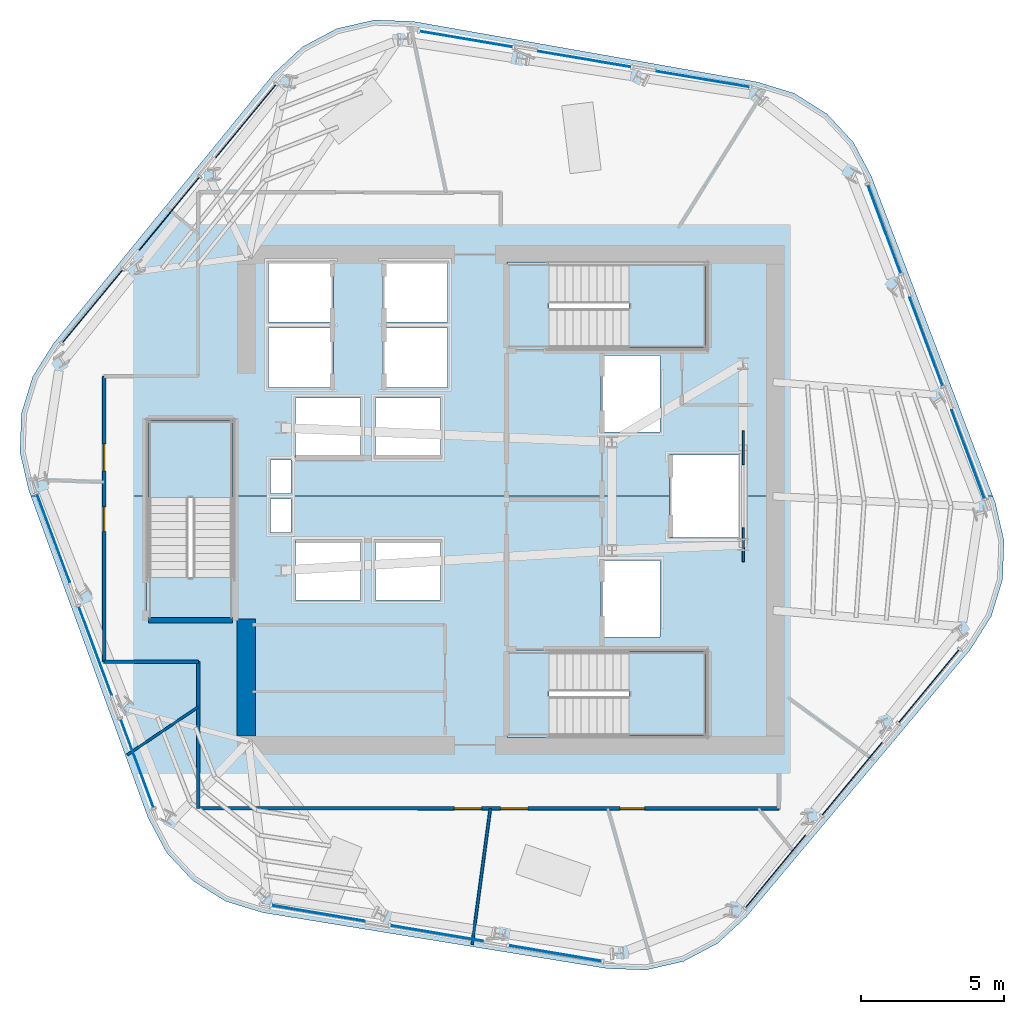
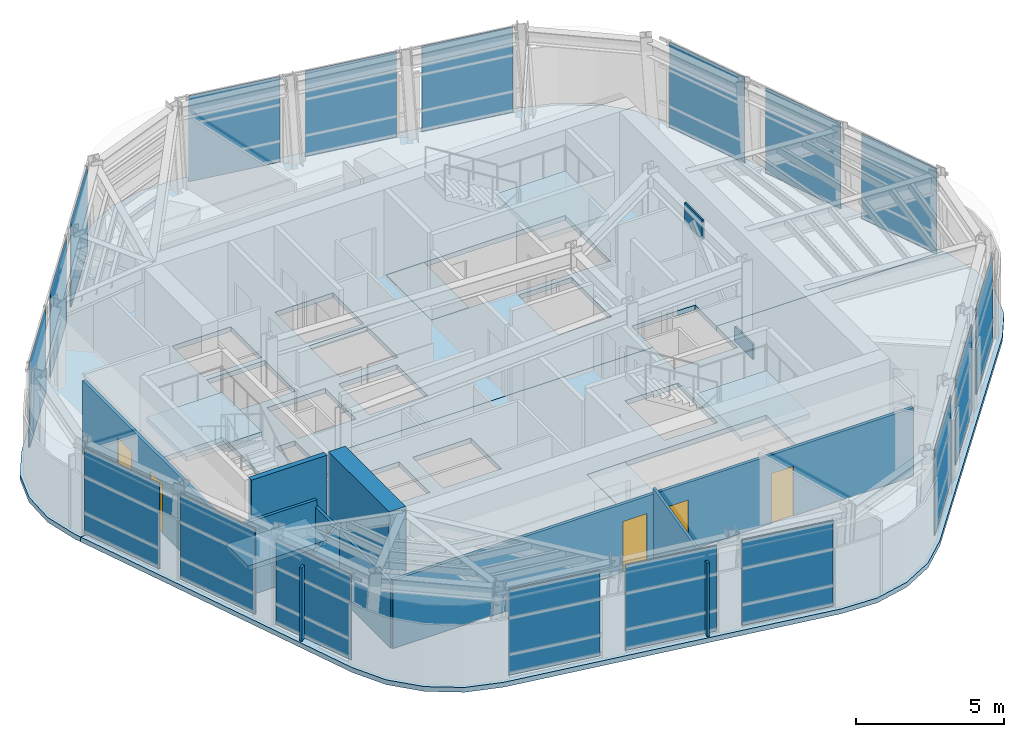
# One storey, part 5 of 12: 20 plates, 8 slabs, 8 walls, 5 doors, 5 openings, 9 elements without a shape of their own.
"""IFC4 building model written with IfcOpenShell, lengths in metres."""

import ifcopenshell
import ifcopenshell.guid

model = None  # the IFC model being written
_history = None  # IfcOwnerHistory: only IFC2X3 demands one
_inside = {}  # id of a spatial element -> (the spatial element, [elements in it])
_under = {}  # id of a project, library or spatial element -> (it, [spatial elements below it])
_declared = {}  # id of a project -> (the project, [libraries it declares])
_typed = {}  # id of a type object -> (the type object, [elements of that type])
_made_of = {}  # id of a material, layer set ... -> (it, [elements and type objects made of it])


def new_model(schema):
    """Start an empty IFC model of exactly this schema.

    Asked for "IFC4X3", IfcOpenShell would pick the latest addendum, in which some entities
    have other attributes; the version numbers below select the first issue.
    IFC2X3 requires an IfcOwnerHistory on every rooted entity: one is made here for all.
    """
    global model, _history
    if schema == "IFC4X3":
        model = ifcopenshell.file(schema_version=(4, 3, 0, 0))
    else:
        model = ifcopenshell.file(schema=schema)
    _inside.clear()
    _under.clear()
    _declared.clear()
    _typed.clear()
    _made_of.clear()
    _history = None
    if model.schema == "IFC2X3":
        org = make("IfcOrganization", Name="unknown")
        user = make(
            "IfcPersonAndOrganization",
            ThePerson=make("IfcPerson", FamilyName="unknown"),
            TheOrganization=org,
        )
        app = make(
            "IfcApplication",
            ApplicationDeveloper=org,
            Version="unknown",
            ApplicationFullName="unknown",
            ApplicationIdentifier="unknown",
        )
        _history = make(
            "IfcOwnerHistory",
            OwningUser=user,
            OwningApplication=app,
            ChangeAction="ADDED",
            CreationDate=0,
        )
    return model


def make(cls, **values):
    """One entity of the class cls with the attributes given. An attribute that is None is left unset."""
    return model.create_entity(
        cls, **{name: value for name, value in values.items() if value is not None}
    )


def rooted(cls, **values):
    """An entity with a GlobalId (a new one), such as an element, a storey or a relation."""
    return make(cls, GlobalId=ifcopenshell.guid.new(), OwnerHistory=_history, **values)


def si_unit(unit_type, name, prefix=None):
    """IfcSIUnit, for example si_unit("LENGTHUNIT", "METRE", prefix="MILLI")."""
    return make("IfcSIUnit", UnitType=unit_type, Prefix=prefix, Name=name)


def assignment(units):
    """IfcUnitAssignment: the units of a project."""
    return None if units is None else make("IfcUnitAssignment", Units=units)


def point(xyz):
    """IfcCartesianPoint."""
    return None if xyz is None else make("IfcCartesianPoint", Coordinates=xyz)


def direction(xyz):
    """IfcDirection."""
    return None if xyz is None else make("IfcDirection", DirectionRatios=xyz)


def frame(location, z_axis=None, x_axis=None):
    """IfcAxis2Placement3D, a coordinate frame: its origin and axes. An axis left out is left unset."""
    return make(
        "IfcAxis2Placement3D",
        Location=point(location),
        Axis=direction(z_axis),
        RefDirection=direction(x_axis),
    )


def frame_2d(location, x_axis=None):
    """IfcAxis2Placement2D, a coordinate frame in the plane: its origin and x axis."""
    return make(
        "IfcAxis2Placement2D", Location=point(location), RefDirection=direction(x_axis)
    )


def origin():
    """The frame at (0, 0, 0) with its axes left unset."""
    return frame((0.0, 0.0, 0.0))


def origin_2d():
    """The frame at (0, 0) in the plane with its x axis left unset."""
    return frame_2d((0.0, 0.0))


def place(relative_to, where):
    """IfcLocalPlacement: puts the frame where relative to a parent placement (None: the world)."""
    return make(
        "IfcLocalPlacement", PlacementRelTo=relative_to, RelativePlacement=where
    )


def context(
    kind, dimensions, precision=None, world=None, true_north=None, identifier=None
):
    """IfcGeometricRepresentationContext, for example the 3D "Model" context."""
    return make(
        "IfcGeometricRepresentationContext",
        ContextIdentifier=identifier,
        ContextType=kind,
        CoordinateSpaceDimension=dimensions,
        Precision=precision,
        WorldCoordinateSystem=world,
        TrueNorth=true_north,
    )


def subcontext(parent, identifier, kind, view, scale=None):
    """IfcGeometricRepresentationSubContext, for example "Body" below "Model"."""
    return make(
        "IfcGeometricRepresentationSubContext",
        ContextIdentifier=identifier,
        ContextType=kind,
        ParentContext=parent,
        TargetScale=scale,
        TargetView=view,
    )


def project(units=None, contexts=None):
    """IfcProject with its units and contexts."""
    return rooted(
        "IfcProject",
        Name="project",
        RepresentationContexts=contexts,
        UnitsInContext=assignment(units),
    )


def spatial(cls, under=None, at=None, **own):
    """A site, building, storey or space (cls), placed at a placement, below another one or the project."""
    s = rooted(cls, ObjectPlacement=at, **own)
    if under is not None:
        _under.setdefault(under.id(), (under, []))[1].append(s)
    return s


def polyline(points):
    """IfcPolyline through the points."""
    return make("IfcPolyline", Points=[point(p) for p in points])


def profile(cls, at=None, kind="AREA", **sizes):
    """A parametric profile (cls). Its sizes go by their IFC names, for example OverallWidth=200.0."""
    return make(cls, ProfileType=kind, Position=at, **sizes)


def rectangle(**sizes):
    """IfcRectangleProfileDef."""
    return profile("IfcRectangleProfileDef", **sizes)


def outline(outer, holes=None, kind="AREA"):
    """IfcArbitraryClosedProfileDef: a profile drawn as a closed curve; with holes, ...WithVoids."""
    if holes is None:
        return make("IfcArbitraryClosedProfileDef", ProfileType=kind, OuterCurve=outer)
    return make(
        "IfcArbitraryProfileDefWithVoids",
        ProfileType=kind,
        OuterCurve=outer,
        InnerCurves=holes,
    )


def extrude(swept, where, along, depth):
    """IfcExtrudedAreaSolid: the profile swept, set in the frame where, extruded along a direction by depth."""
    return make(
        "IfcExtrudedAreaSolid",
        SweptArea=swept,
        Position=where,
        ExtrudedDirection=direction(along),
        Depth=depth,
    )


def shape(context_of_items, identifier, shape_type, items):
    """IfcShapeRepresentation: the items that make up one representation, for example the "Body"."""
    return make(
        "IfcShapeRepresentation",
        ContextOfItems=context_of_items,
        RepresentationIdentifier=identifier,
        RepresentationType=shape_type,
        Items=items,
    )


def material(Name=None, Category=None):
    """IfcMaterial."""
    return make("IfcMaterial", Name=Name, Category=Category)


def layer(
    of_material, thickness, ventilated=None, Name=None, Category=None, Priority=None
):
    """IfcMaterialLayer: one layer of a wall or slab, of a material (None: an air gap)."""
    return make(
        "IfcMaterialLayer",
        Material=of_material,
        LayerThickness=thickness,
        IsVentilated=ventilated,
        Name=Name,
        Category=Category,
        Priority=Priority,
    )


def layer_set(layers, Name=None):
    """IfcMaterialLayerSet."""
    return make("IfcMaterialLayerSet", MaterialLayers=layers, LayerSetName=Name)


def made_of(thing, what):
    """Note that an element or type object is made of a material, layer set ...; save() writes the relation."""
    if what is not None:
        _made_of.setdefault(what.id(), (what, []))[1].append(thing)
    return thing


def type_object(cls, material=None, **own):
    """A type object (cls), such as IfcWallType, which elements share."""
    return made_of(rooted(cls, **own), material)


def element(
    cls,
    number,
    at=None,
    inside=None,
    cuts=None,
    type_object=None,
    material=None,
    context=None,
    identifier="Body",
    shape_type=None,
    held_by="IfcProductDefinitionShape",
    body=None,
    shapes=None,
    **own,
):
    """One element of the class cls, such as IfcWall. Its Tag is "e" and its number.

    at: its placement. inside: the storey or other place that contains it. cuts: it is an
    opening in that element (IfcRelVoidsElement). A single representation is given by context,
    identifier, shape_type and body (its items); several are given by shapes. held_by: the class
    of the entity that holds the representations. save() writes the other relations.
    """
    e = rooted(cls, Tag="e%d" % number, ObjectPlacement=at, **own)
    if body is not None:
        shapes = [shape(context, identifier, shape_type, body)]
    if shapes is not None:
        e.Representation = make(held_by, Representations=shapes)
    if inside is not None:
        _inside.setdefault(inside.id(), (inside, []))[1].append(e)
    if cuts is not None:
        rooted(
            "IfcRelVoidsElement", RelatingBuildingElement=cuts, RelatedOpeningElement=e
        )
    if type_object is not None:
        _typed.setdefault(type_object.id(), (type_object, []))[1].append(e)
    return made_of(e, material)


def fill(opening, filler):
    """IfcRelFillsElement: the door or window that sits in an opening."""
    return rooted(
        "IfcRelFillsElement",
        RelatingOpeningElement=opening,
        RelatedBuildingElement=filler,
    )


def aggregate(whole, parts):
    """IfcRelAggregates: a whole, such as a stair, and the parts it consists of."""
    return rooted("IfcRelAggregates", RelatingObject=whole, RelatedObjects=parts)


def save(model, path):
    """Write the relations noted so far, then the file.

    IfcRelAggregates (storeys below a building ...), IfcRelContainedInSpatialStructure (elements
    in a storey), IfcRelDefinesByType, IfcRelAssociatesMaterial and IfcRelDeclares: one each for
    every whole, place, type object, material and project.
    """
    for whole, parts in _under.values():
        aggregate(whole, parts)
    for where, things in _inside.values():
        rooted(
            "IfcRelContainedInSpatialStructure",
            RelatedElements=things,
            RelatingStructure=where,
        )
    for kind, things in _typed.values():
        rooted("IfcRelDefinesByType", RelatedObjects=things, RelatingType=kind)
    for what, things in _made_of.values():
        rooted("IfcRelAssociatesMaterial", RelatedObjects=things, RelatingMaterial=what)
    for by, libraries in _declared.values():
        rooted("IfcRelDeclares", RelatingContext=by, RelatedDefinitions=libraries)
    model.write(path)


model = new_model("IFC4")

# Units and contexts
model_context = context("Model", 3, precision=1e-05, world=origin(), true_north=direction((0.0, 1.0)))
body_context = subcontext(model_context, "Body", "Model", "MODEL_VIEW")
ifc_project = project(units=[si_unit("LENGTHUNIT", "METRE"), si_unit("AREAUNIT", "SQUARE_METRE"), si_unit("VOLUMEUNIT", "CUBIC_METRE"), si_unit("PLANEANGLEUNIT", "RADIAN"), si_unit("MASSUNIT", "GRAM", prefix="KILO")], contexts=[model_context])

# Site, building, storey
site_placement = place(None, origin())
site = spatial("IfcSite", under=ifc_project, at=site_placement, CompositionType="ELEMENT")
building_placement = place(site_placement, origin())
building = spatial("IfcBuilding", under=site, at=building_placement, Name="Valkerne Bourse Tower", CompositionType="ELEMENT")
storey_placement = place(building_placement, frame((0.0, 0.0, 239.800048828125)))
storey = spatial("IfcBuildingStorey", under=building, at=storey_placement, Name="L61", CompositionType="ELEMENT", Elevation=239.800048828125)

# Curtain wall, plates
ifc_material_1 = material(Name="Aluminium AA 6063-T6", Category="aluminium")
ifc_layer_1 = layer(ifc_material_1, 0.239990234375)
ifc_layer_set_1 = layer_set([ifc_layer_1], Name="Aluminium AA 6063-T6")
curtain_wall_type = type_object("IfcCurtainWallType", Name="CW-04", PredefinedType="NOTDEFINED", material=ifc_layer_set_1)
curtain_wall_1_placement = place(storey_placement, origin())
curtain_wall_1 = element("IfcCurtainWall", 1, at=curtain_wall_1_placement, inside=storey, type_object=curtain_wall_type, Name="L61 Hexagonal Stick Curtain Wall Face 1", PredefinedType="NOTDEFINED")
ifc_material_2 = material(Name="Glass IGU Low-E Double Glazed", Category="glass")
ifc_layer_2 = layer(ifc_material_2, 0.031982421875)
ifc_layer_set_2 = layer_set([ifc_layer_2], Name="Glass IGU Low-E Double Glazed")
plate_type_1 = type_object("IfcPlateType", Name="CW-PNL-IGU-32", PredefinedType="CURTAIN_PANEL", material=ifc_layer_set_2)
plate_1_placement = place(storey_placement, frame((53.54443359375, 41.618896484375, 0.030029296875), z_axis=(0.0, 0.0, 1.0), x_axis=(-0.985997105636, 0.166762428852, 0.0)))
plate_1 = element("IfcPlate", 2, at=plate_1_placement, type_object=plate_type_1, Name="CW-L61-F1 Curtain Panel 00", PredefinedType="CURTAIN_PANEL", context=body_context, shape_type="SweptSolid", body=[
    extrude(rectangle(XDim=3.2919921875, YDim=0.031982421875, at=origin_2d()), origin(), (0.0, 0.0, 1.0), 3.5400390625),
])
plate_2_placement = place(storey_placement, frame((49.391357421875, 42.3212890625, 0.030029296875), z_axis=(0.0, 0.0, 1.0), x_axis=(-0.985997105636, 0.166762428852, 0.0)))
plate_2 = element("IfcPlate", 3, at=plate_2_placement, type_object=plate_type_1, Name="CW-L61-F1 Curtain Panel 01", PredefinedType="CURTAIN_PANEL", context=body_context, shape_type="SweptSolid", body=[
    extrude(rectangle(XDim=3.2919921875, YDim=0.031982421875, at=origin_2d()), origin(), (0.0, 0.0, 1.0), 3.5400390625),
])
plate_3_placement = place(storey_placement, frame((45.23828125, 43.023681640625, 0.030029296875), z_axis=(0.0, 0.0, 1.0), x_axis=(-0.985997105636, 0.166762428852, 0.0)))
plate_3 = element("IfcPlate", 4, at=plate_3_placement, type_object=plate_type_1, Name="CW-L61-F1 Curtain Panel 02", PredefinedType="CURTAIN_PANEL", context=body_context, shape_type="SweptSolid", body=[
    extrude(rectangle(XDim=3.2919921875, YDim=0.031982421875, at=origin_2d()), origin(), (0.0, 0.0, 1.0), 3.5400390625),
])
aggregate(curtain_wall_1, [plate_1, plate_2, plate_3])

curtain_wall_2_placement = place(storey_placement, origin())
curtain_wall_2 = element("IfcCurtainWall", 5, at=curtain_wall_2_placement, inside=storey, type_object=curtain_wall_type, Name="L61 Hexagonal Stick Curtain Wall Face 2", PredefinedType="NOTDEFINED")
plate_4_placement = place(storey_placement, frame((37.511962890625, 40.150146484375, 0.030029296875), z_axis=(0.0, 0.0, 1.0), x_axis=(-0.637419990415, -0.770516551295, 0.0)))
plate_4 = element("IfcPlate", 6, at=plate_4_placement, type_object=plate_type_1, Name="CW-L61-F2 Curtain Panel 00", PredefinedType="CURTAIN_PANEL", context=body_context, shape_type="SweptSolid", body=[
    extrude(rectangle(XDim=3.2919921875, YDim=0.031982421875, at=origin_2d()), origin(), (0.0, 0.0, 1.0), 3.5400390625),
])
plate_5_placement = place(storey_placement, frame((34.8271484375, 36.90478515625, 0.030029296875), z_axis=(0.0, 0.0, 1.0), x_axis=(-0.637419990415, -0.770516551295, 0.0)))
plate_5 = element("IfcPlate", 7, at=plate_5_placement, type_object=plate_type_1, Name="CW-L61-F2 Curtain Panel 01", PredefinedType="CURTAIN_PANEL", context=body_context, shape_type="SweptSolid", body=[
    extrude(rectangle(XDim=3.2919921875, YDim=0.031982421875, at=origin_2d()), origin(), (0.0, 0.0, 1.0), 3.5400390625),
])
plate_6_placement = place(storey_placement, frame((32.142333984375, 33.6591796875, 0.030029296875), z_axis=(0.0, 0.0, 1.0), x_axis=(-0.637434085506, -0.770504890728, 0.0)))
plate_6 = element("IfcPlate", 8, at=plate_6_placement, type_object=plate_type_1, Name="CW-L61-F2 Curtain Panel 02", PredefinedType="CURTAIN_PANEL", context=body_context, shape_type="SweptSolid", body=[
    extrude(rectangle(XDim=3.2919921875, YDim=0.031982421875, at=origin_2d()), origin(), (0.0, 0.0, 1.0), 3.5400390625),
])
aggregate(curtain_wall_2, [plate_4, plate_5, plate_6])

curtain_wall_3_placement = place(storey_placement, origin())
curtain_wall_3 = element("IfcCurtainWall", 9, at=curtain_wall_3_placement, inside=storey, type_object=curtain_wall_type, Name="L61 Hexagonal Stick Curtain Wall Face 3", PredefinedType="NOTDEFINED")
plate_7_placement = place(storey_placement, frame((30.767578125, 25.531494140625, 0.030029296875), z_axis=(0.0, 0.0, 1.0), x_axis=(0.348577541207, -0.937279946316, 0.0)))
plate_7 = element("IfcPlate", 10, at=plate_7_placement, type_object=plate_type_1, Name="CW-L61-F3 Curtain Panel 00", PredefinedType="CURTAIN_PANEL", context=body_context, shape_type="SweptSolid", body=[
    extrude(rectangle(XDim=3.2919921875, YDim=0.031982421875, at=origin_2d()), origin(), (0.0, 0.0, 1.0), 3.5400390625),
])
plate_8_placement = place(storey_placement, frame((32.23583984375, 21.58349609375, 0.030029296875), z_axis=(0.0, 0.0, 1.0), x_axis=(0.348569784559, -0.937282831003, 0.0)))
plate_8 = element("IfcPlate", 11, at=plate_8_placement, type_object=plate_type_1, Name="CW-L61-F3 Curtain Panel 01", PredefinedType="CURTAIN_PANEL", context=body_context, shape_type="SweptSolid", body=[
    extrude(rectangle(XDim=3.2919921875, YDim=0.031982421875, at=origin_2d()), origin(), (0.0, 0.0, 1.0), 3.5400390625),
])
plate_9_placement = place(storey_placement, frame((33.7041015625, 17.6357421875, 0.030029296875), z_axis=(0.0, 0.0, 1.0), x_axis=(0.348577541207, -0.937279946316, 0.0)))
plate_9 = element("IfcPlate", 12, at=plate_9_placement, type_object=plate_type_1, Name="CW-L61-F3 Curtain Panel 02", PredefinedType="CURTAIN_PANEL", context=body_context, shape_type="SweptSolid", body=[
    extrude(rectangle(XDim=3.2919921875, YDim=0.031982421875, at=origin_2d()), origin(), (0.0, 0.0, 1.0), 3.5400390625),
])
aggregate(curtain_wall_3, [plate_7, plate_8, plate_9])

curtain_wall_4_placement = place(storey_placement, origin())
curtain_wall_4 = element("IfcCurtainWall", 13, at=curtain_wall_4_placement, inside=storey, type_object=curtain_wall_type, Name="L61 Hexagonal Stick Curtain Wall Face 4", PredefinedType="NOTDEFINED")
plate_10_placement = place(storey_placement, frame((40.0556640625, 12.381103515625, 0.030029296875), z_axis=(0.0, 0.0, 1.0), x_axis=(0.985997105636, -0.166762428852, 0.0)))
plate_10 = element("IfcPlate", 14, at=plate_10_placement, type_object=plate_type_1, Name="CW-L61-F4 Curtain Panel 00", PredefinedType="CURTAIN_PANEL", context=body_context, shape_type="SweptSolid", body=[
    extrude(rectangle(XDim=3.2919921875, YDim=0.031982421875, at=origin_2d()), origin(), (0.0, 0.0, 1.0), 3.5400390625),
])
plate_11_placement = place(storey_placement, frame((44.20849609375, 11.678955078125, 0.030029296875), z_axis=(0.0, 0.0, 1.0), x_axis=(0.985997105636, -0.166762428852, 0.0)))
plate_11 = element("IfcPlate", 15, at=plate_11_placement, type_object=plate_type_1, Name="CW-L61-F4 Curtain Panel 01", PredefinedType="CURTAIN_PANEL", context=body_context, shape_type="SweptSolid", body=[
    extrude(rectangle(XDim=3.2919921875, YDim=0.031982421875, at=origin_2d()), origin(), (0.0, 0.0, 1.0), 3.5400390625),
])
plate_12_placement = place(storey_placement, frame((48.361572265625, 10.976318359375, 0.030029296875), z_axis=(0.0, 0.0, 1.0), x_axis=(0.985997105636, -0.166762428852, 0.0)))
plate_12 = element("IfcPlate", 16, at=plate_12_placement, type_object=plate_type_1, Name="CW-L61-F4 Curtain Panel 02", PredefinedType="CURTAIN_PANEL", context=body_context, shape_type="SweptSolid", body=[
    extrude(rectangle(XDim=3.2919921875, YDim=0.031982421875, at=origin_2d()), origin(), (0.0, 0.0, 1.0), 3.5400390625),
])
aggregate(curtain_wall_4, [plate_10, plate_11, plate_12])

curtain_wall_5_placement = place(storey_placement, origin())
curtain_wall_5 = element("IfcCurtainWall", 17, at=curtain_wall_5_placement, inside=storey, type_object=curtain_wall_type, Name="L61 Hexagonal Stick Curtain Wall Face 5", PredefinedType="NOTDEFINED")
plate_13_placement = place(storey_placement, frame((56.087890625, 13.849853515625, 0.030029296875), z_axis=(0.0, 0.0, 1.0), x_axis=(0.637419990415, 0.770516551295, 0.0)))
plate_13 = element("IfcPlate", 18, at=plate_13_placement, type_object=plate_type_1, Name="CW-L61-F5 Curtain Panel 00", PredefinedType="CURTAIN_PANEL", context=body_context, shape_type="SweptSolid", body=[
    extrude(rectangle(XDim=3.2919921875, YDim=0.031982421875, at=origin_2d()), origin(), (0.0, 0.0, 1.0), 3.5400390625),
])
plate_14_placement = place(storey_placement, frame((58.772705078125, 17.09521484375, 0.030029296875), z_axis=(0.0, 0.0, 1.0), x_axis=(0.637419990415, 0.770516551295, 0.0)))
plate_14 = element("IfcPlate", 19, at=plate_14_placement, type_object=plate_type_1, Name="CW-L61-F5 Curtain Panel 01", PredefinedType="CURTAIN_PANEL", context=body_context, shape_type="SweptSolid", body=[
    extrude(rectangle(XDim=3.2919921875, YDim=0.031982421875, at=origin_2d()), origin(), (0.0, 0.0, 1.0), 3.5400390625),
])
plate_15_placement = place(storey_placement, frame((61.45751953125, 20.3408203125, 0.030029296875), z_axis=(0.0, 0.0, 1.0), x_axis=(0.637434085506, 0.770504890728, 0.0)))
plate_15 = element("IfcPlate", 20, at=plate_15_placement, type_object=plate_type_1, Name="CW-L61-F5 Curtain Panel 02", PredefinedType="CURTAIN_PANEL", context=body_context, shape_type="SweptSolid", body=[
    extrude(rectangle(XDim=3.2919921875, YDim=0.031982421875, at=origin_2d()), origin(), (0.0, 0.0, 1.0), 3.5400390625),
])
aggregate(curtain_wall_5, [plate_13, plate_14, plate_15])

curtain_wall_6_placement = place(storey_placement, origin())
curtain_wall_6 = element("IfcCurtainWall", 21, at=curtain_wall_6_placement, inside=storey, type_object=curtain_wall_type, Name="L61 Hexagonal Stick Curtain Wall Face 6", PredefinedType="NOTDEFINED")
plate_16_placement = place(storey_placement, frame((62.83251953125, 28.468505859375, 0.030029296875), z_axis=(0.0, 0.0, 1.0), x_axis=(-0.348577541207, 0.937279946316, 0.0)))
plate_16 = element("IfcPlate", 22, at=plate_16_placement, type_object=plate_type_1, Name="CW-L61-F6 Curtain Panel 00", PredefinedType="CURTAIN_PANEL", context=body_context, shape_type="SweptSolid", body=[
    extrude(rectangle(XDim=3.2919921875, YDim=0.031982421875, at=origin_2d()), origin(), (0.0, 0.0, 1.0), 3.5400390625),
])
plate_17_placement = place(storey_placement, frame((61.3642578125, 32.41650390625, 0.030029296875), z_axis=(0.0, 0.0, 1.0), x_axis=(-0.348569784559, 0.937282831003, 0.0)))
plate_17 = element("IfcPlate", 23, at=plate_17_placement, type_object=plate_type_1, Name="CW-L61-F6 Curtain Panel 01", PredefinedType="CURTAIN_PANEL", context=body_context, shape_type="SweptSolid", body=[
    extrude(rectangle(XDim=3.2919921875, YDim=0.031982421875, at=origin_2d()), origin(), (0.0, 0.0, 1.0), 3.5400390625),
])
plate_18_placement = place(storey_placement, frame((59.89599609375, 36.3642578125, 0.030029296875), z_axis=(0.0, 0.0, 1.0), x_axis=(-0.348577541207, 0.937279946316, 0.0)))
plate_18 = element("IfcPlate", 24, at=plate_18_placement, type_object=plate_type_1, Name="CW-L61-F6 Curtain Panel 02", PredefinedType="CURTAIN_PANEL", context=body_context, shape_type="SweptSolid", body=[
    extrude(rectangle(XDim=3.2919921875, YDim=0.031982421875, at=origin_2d()), origin(), (0.0, 0.0, 1.0), 3.5400390625),
])
aggregate(curtain_wall_6, [plate_16, plate_17, plate_18])

# Plates
ifc_material_3 = material(Name="Steel ASTM A572 Grade 50", Category="steel")
ifc_layer_3 = layer(ifc_material_3, 0.06005859375)
ifc_layer_set_3 = layer_set([ifc_layer_3], Name="Steel ASTM A572 Grade 50")
plate_type_2 = type_object("IfcPlateType", Name="PLT-GUS-60", PredefinedType="SHEET", material=ifc_layer_set_3)
for number, where, z_axis, x_axis, name in (
    (25, (54.949951171875, 25.300048828125, -0.18017578125), (0.0, 0.0, 1.0), (0.0, 1.0, 0.0), "L61 Brace Node Gusset Plate PLT-GUS-END-L61-438"),
    (26, (54.949951171875, 28.699951171875, 2.89404296875), (0.0, 0.0, 1.0), (0.0, 1.0, 0.0), "L61 Brace Node Gusset Plate PLT-GUS-END-L61-439"),
):
    element("IfcPlate", number, at=place(storey_placement, frame(where, z_axis=z_axis, x_axis=x_axis)), inside=storey, type_object=plate_type_2, Name=name, PredefinedType="SHEET", context=body_context, shape_type="SweptSolid", body=[
        extrude(rectangle(XDim=1.199951171875, YDim=0.06005859375, at=origin_2d()), origin(), (0.0, 0.0, 1.0), 0.800048828125),
    ])

# Slabs
ifc_material_4 = material(Name="Concrete C40/50", Category="concrete")
ifc_layer_4 = layer(ifc_material_4, 0.25)
ifc_layer_set_4 = layer_set([ifc_layer_4], Name="Concrete C40/50")
slab_type_1 = type_object("IfcSlabType", Name="SLB-RMP-LND-250", PredefinedType="LANDING", material=ifc_layer_set_4)
slab_1_placement = place(storey_placement, frame((0.0, 0.0, -0.199951171875)))
element("IfcSlab", 27, at=slab_1_placement, inside=storey, type_object=slab_type_1, Name="L61 ST-1 Floor Landing Slab", PredefinedType="LANDING", context=body_context, shape_type="SweptSolid", body=[
    extrude(outline(polyline([(46.669921875, 18.5400390625), (48.14990234375, 18.5400390625), (48.14990234375, 21.610107421875), (46.669921875, 21.610107421875), (46.669921875, 18.5400390625)])), origin(), (0.0, 0.0, 1.0), 0.199951171875),
])
slab_2_placement = place(storey_placement, frame((0.0, 0.0, -0.199951171875)))
element("IfcSlab", 28, at=slab_2_placement, inside=storey, type_object=slab_type_1, Name="L61 ST-2 Floor Landing Slab", PredefinedType="LANDING", context=body_context, shape_type="SweptSolid", body=[
    extrude(outline(polyline([(46.669921875, 32.139892578125), (48.14990234375, 32.139892578125), (48.14990234375, 35.2099609375), (46.669921875, 35.2099609375), (46.669921875, 32.139892578125)])), origin(), (0.0, 0.0, 1.0), 0.199951171875),
])
slab_3_placement = place(storey_placement, frame((0.0, 0.0, -0.199951171875)))
element("IfcSlab", 29, at=slab_3_placement, inside=storey, type_object=slab_type_1, Name="L61 ST-3 Floor Landing Slab", PredefinedType="LANDING", context=body_context, shape_type="SweptSolid", body=[
    extrude(outline(polyline([(37.110107421875, 22.669921875), (37.110107421875, 24.14990234375), (34.0400390625, 24.14990234375), (34.0400390625, 22.669921875), (37.110107421875, 22.669921875)])), origin(), (0.0, 0.0, 1.0), 0.199951171875),
])

# Stair, slab
stair_type = type_object("IfcStairType", Name="ST-CORE-1400", PredefinedType="HALF_TURN_STAIR", material=ifc_material_4)
stair_1_placement = place(storey_placement, origin())
stair_1 = element("IfcStair", 30, at=stair_1_placement, inside=storey, type_object=stair_type, Name="L61 ST-1", PredefinedType="HALF_TURN_STAIR")
ifc_layer_5 = layer(ifc_material_4, 0.179931640625)
ifc_layer_set_5 = layer_set([ifc_layer_5], Name="Concrete C40/50")
slab_type_2 = type_object("IfcSlabType", Name="SLB-ST-LND-180", PredefinedType="LANDING", material=ifc_layer_set_5)
slab_4_placement = place(storey_placement, frame((0.0, 0.0, 1.699951171875)))
slab_4 = element("IfcSlab", 31, at=slab_4_placement, type_object=slab_type_2, Name="ST-1 landing 1", PredefinedType="LANDING", context=body_context, shape_type="SweptSolid", body=[
    extrude(outline(polyline([(50.949951171875, 18.60009765625), (53.64990234375, 18.60009765625), (53.64990234375, 21.550048828125), (50.949951171875, 21.550048828125), (50.949951171875, 18.60009765625)])), origin(), (0.0, 0.0, 1.0), 0.199951171875),
])
aggregate(stair_1, [slab_4])

stair_2_placement = place(storey_placement, origin())
stair_2 = element("IfcStair", 32, at=stair_2_placement, inside=storey, type_object=stair_type, Name="L61 ST-2", PredefinedType="HALF_TURN_STAIR")
slab_5_placement = place(storey_placement, frame((0.0, 0.0, 1.699951171875)))
slab_5 = element("IfcSlab", 33, at=slab_5_placement, type_object=slab_type_2, Name="ST-2 landing 1", PredefinedType="LANDING", context=body_context, shape_type="SweptSolid", body=[
    extrude(outline(polyline([(50.949951171875, 32.199951171875), (53.64990234375, 32.199951171875), (53.64990234375, 35.14990234375), (50.949951171875, 35.14990234375), (50.949951171875, 32.199951171875)])), origin(), (0.0, 0.0, 1.0), 0.199951171875),
])
aggregate(stair_2, [slab_5])

stair_3_placement = place(storey_placement, origin())
stair_3 = element("IfcStair", 34, at=stair_3_placement, inside=storey, type_object=stair_type, Name="L61 ST-3", PredefinedType="HALF_TURN_STAIR")
slab_6_placement = place(storey_placement, frame((0.0, 0.0, 1.699951171875)))
slab_6 = element("IfcSlab", 35, at=slab_6_placement, type_object=slab_type_2, Name="ST-3 landing 1", PredefinedType="LANDING", context=body_context, shape_type="SweptSolid", body=[
    extrude(outline(polyline([(37.050048828125, 26.949951171875), (37.050048828125, 29.64990234375), (34.10009765625, 29.64990234375), (34.10009765625, 26.949951171875), (37.050048828125, 26.949951171875)])), origin(), (0.0, 0.0, 1.0), 0.199951171875),
])
aggregate(stair_3, [slab_6])

# Slabs
ifc_layer_6 = layer(ifc_material_4, 0.199951171875)
ifc_layer_set_6 = layer_set([ifc_layer_6], Name="Concrete C40/50")
slab_type_3 = type_object("IfcSlabType", Name="SLB-TOW-200", PredefinedType="FLOOR", material=ifc_layer_set_6)
slab_7_placement = place(storey_placement, frame((0.0, 0.0, -0.199951171875)))
element("IfcSlab", 36, at=slab_7_placement, inside=storey, type_object=slab_type_3, Name="L61 Hexagonal Composite Floor Slab S", PredefinedType="FLOOR", context=body_context, shape_type="SweptSolid", body=[
    extrude(outline(polyline([(64.09375, 25.43994140625), (64.0439453125, 24.08349609375), (63.644775390625, 22.785888671875), (62.92333984375, 21.635986328125), (55.0576171875, 12.254638671875), (54.063232421875, 11.330810546875), (52.863525390625, 10.695556640625), (51.540283203125, 10.392333984375), (50.183837890625, 10.442138671875), (38.099609375, 12.404052734375), (36.802001953125, 12.80322265625), (35.652099609375, 13.524658203125), (34.72802734375, 14.51904296875), (34.093017578125, 15.71875), (29.98193359375, 27.0), (34.034912109375, 27.0), (34.034912109375, 22.6650390625), (37.114990234375, 22.6650390625), (37.114990234375, 27.0), (52.360107421875, 27.0), (52.360107421875, 25.56005859375), (54.840087890625, 25.56005859375), (54.840087890625, 27.0), (63.70068359375, 27.0), (63.79052734375, 26.76318359375), (64.09375, 25.43994140625)]), holes=[polyline([(41.5400390625, 25.43994140625), (39.260009765625, 25.43994140625), (39.260009765625, 23.360107421875), (41.5400390625, 23.360107421875), (41.5400390625, 25.43994140625)]), polyline([(44.340087890625, 25.43994140625), (42.06005859375, 25.43994140625), (42.06005859375, 23.360107421875), (44.340087890625, 23.360107421875), (44.340087890625, 25.43994140625)]), polyline([(39.10009765625, 26.89990234375), (38.3798828125, 26.89990234375), (38.3798828125, 25.72998046875), (39.10009765625, 25.72998046875), (39.10009765625, 26.89990234375)]), polyline([(53.675048828125, 21.614990234375), (46.6650390625, 21.614990234375), (46.6650390625, 18.534912109375), (53.675048828125, 18.534912109375), (53.675048828125, 21.614990234375)]), polyline([(52.0400390625, 24.739990234375), (49.9599609375, 24.739990234375), (49.9599609375, 22.06005859375), (52.0400390625, 22.06005859375), (52.0400390625, 24.739990234375)])]), origin(), (0.0, 0.0, 1.0), 0.199951171875),
])
slab_8_placement = place(storey_placement, frame((0.0, 0.0, -0.199951171875)))
element("IfcSlab", 37, at=slab_8_placement, inside=storey, type_object=slab_type_3, Name="L61 Hexagonal Composite Floor Slab N", PredefinedType="FLOOR", context=body_context, shape_type="SweptSolid", body=[
    extrude(outline(polyline([(29.9013671875, 27.22119140625), (29.598388671875, 28.54443359375), (29.64794921875, 29.90087890625), (30.047119140625, 31.198486328125), (30.7685546875, 32.348388671875), (38.509765625, 41.832763671875), (39.504150390625, 42.7568359375), (40.703857421875, 43.39208984375), (42.027099609375, 43.695068359375), (43.383544921875, 43.645263671875), (55.44091796875, 41.52392578125), (56.73828125, 41.125), (57.88818359375, 40.403564453125), (58.8125, 39.4091796875), (59.447509765625, 38.20947265625), (63.70068359375, 27.0), (54.840087890625, 27.0), (54.840087890625, 28.43994140625), (52.360107421875, 28.43994140625), (52.360107421875, 27.0), (37.114990234375, 27.0), (37.114990234375, 29.675048828125), (34.034912109375, 29.675048828125), (34.034912109375, 27.0), (29.98193359375, 27.0), (29.9013671875, 27.22119140625)]), holes=[polyline([(39.10009765625, 28.27001953125), (38.3798828125, 28.27001953125), (38.3798828125, 27.10009765625), (39.10009765625, 27.10009765625), (39.10009765625, 28.27001953125)]), polyline([(41.5400390625, 30.43994140625), (39.260009765625, 30.43994140625), (39.260009765625, 28.360107421875), (41.5400390625, 28.360107421875), (41.5400390625, 30.43994140625)]), polyline([(40.590087890625, 32.889892578125), (38.31005859375, 32.889892578125), (38.31005859375, 30.81005859375), (40.590087890625, 30.81005859375), (40.590087890625, 32.889892578125)]), polyline([(40.590087890625, 35.18994140625), (38.31005859375, 35.18994140625), (38.31005859375, 33.110107421875), (40.590087890625, 33.110107421875), (40.590087890625, 35.18994140625)]), polyline([(44.340087890625, 30.43994140625), (42.06005859375, 30.43994140625), (42.06005859375, 28.360107421875), (44.340087890625, 28.360107421875), (44.340087890625, 30.43994140625)]), polyline([(52.0400390625, 31.93994140625), (49.9599609375, 31.93994140625), (49.9599609375, 29.260009765625), (52.0400390625, 29.260009765625), (52.0400390625, 31.93994140625)]), polyline([(44.590087890625, 32.889892578125), (42.31005859375, 32.889892578125), (42.31005859375, 30.81005859375), (44.590087890625, 30.81005859375), (44.590087890625, 32.889892578125)]), polyline([(53.675048828125, 35.215087890625), (46.6650390625, 35.215087890625), (46.6650390625, 32.135009765625), (53.675048828125, 32.135009765625), (53.675048828125, 35.215087890625)]), polyline([(44.590087890625, 35.18994140625), (42.31005859375, 35.18994140625), (42.31005859375, 33.110107421875), (44.590087890625, 33.110107421875), (44.590087890625, 35.18994140625)])]), origin(), (0.0, 0.0, 1.0), 0.199951171875),
])

# Walls
ifc_material_5 = material(Name="Concrete C55/67", Category="concrete")
ifc_layer_7 = layer(ifc_material_5, 0.64990234375)
ifc_layer_set_7 = layer_set([ifc_layer_7], Name="Concrete C55/67")
wall_type_1 = type_object("IfcWallType", Name="W-CORE-650", PredefinedType="SHEAR", material=ifc_layer_set_7)
wall_1_placement = place(storey_placement, frame((37.52490234375, 18.60009765625, 0.0), z_axis=(0.0, 0.0, 1.0), x_axis=(0.0, 1.0, 0.0)))
element("IfcWall", 38, at=wall_1_placement, inside=storey, type_object=wall_type_1, Name="L61 Core Shear Wall WEST-S", PredefinedType="SHEAR", context=body_context, shape_type="SweptSolid", body=[
    extrude(rectangle(XDim=4.099853515625, YDim=0.64990234375, at=frame_2d((2.0498046875, 0.0))), origin(), (0.0, 0.0, 1.0), 3.599853515625),
])
ifc_material_6 = material(Name="Gypsum Board Steel-Stud Partition", Category="steel")
ifc_layer_8 = layer(ifc_material_6, 0.117919921875)
ifc_layer_set_8 = layer_set([ifc_layer_8], Name="Gypsum Board Steel-Stud Partition")
wall_type_2 = type_object("IfcWallType", Name="W-CORR-140", PredefinedType="PARTITIONING", material=ifc_layer_set_8)
wall_2_placement = place(storey_placement, frame((35.85009765625, 16.06005859375, 0.0), z_axis=(0.0, 0.0, 1.0), x_axis=(0.0, 1.0, 0.0)))
element("IfcWall", 39, at=wall_2_placement, inside=storey, type_object=wall_type_2, Name="L61 Corridor Enclosure Wall", PredefinedType="PARTITIONING", context=body_context, shape_type="SweptSolid", body=[
    extrude(rectangle(XDim=5.139892578125, YDim=0.117919921875, at=frame_2d((2.56982421875, 0.0))), origin(), (0.0, 0.0, 1.0), 2.7314453125),
])
wall_3_placement = place(storey_placement, frame((35.85009765625, 21.199951171875, 0.0), z_axis=(0.0, 0.0, 1.0), x_axis=(-1.0, 0.0, 0.0)))
element("IfcWall", 40, at=wall_3_placement, inside=storey, type_object=wall_type_2, Name="L61 Corridor Enclosure Wall", PredefinedType="PARTITIONING", context=body_context, shape_type="SweptSolid", body=[
    extrude(rectangle(XDim=3.300048828125, YDim=0.117919921875, at=frame_2d((1.64990234375, 0.0))), origin(), (0.0, 0.0, 1.0), 3.036376953125),
])

# Wall, openings, doors
wall_4_placement = place(storey_placement, frame((32.550048828125, 21.199951171875, 0.0), z_axis=(0.0, 0.0, 1.0), x_axis=(0.0, 1.0, 0.0)))
wall_4 = element("IfcWall", 41, at=wall_4_placement, inside=storey, type_object=wall_type_2, Name="L61 Corridor Enclosure Wall", PredefinedType="PARTITIONING", context=body_context, shape_type="SweptSolid", body=[
    extrude(rectangle(XDim=10.0, YDim=0.117919921875, at=frame_2d((5.0, 0.0))), origin(), (0.0, 0.0, 1.0), 3.036376953125),
])
opening_1_placement = place(wall_4_placement, frame((4.570068359375, 0.0, 0.0)))
opening_1 = element("IfcOpeningElement", 42, at=opening_1_placement, cuts=wall_4, Name="Opening D-WC-900", PredefinedType="OPENING", context=body_context, shape_type="SweptSolid", body=[
    extrude(rectangle(XDim=0.860107421875, YDim=2.050048828125, at=frame_2d((0.43017578125, 1.02490234375))), frame((0.0, 0.06884765625, 0.0), z_axis=(0.0, -1.0, 0.0), x_axis=(1.0, 0.0, 0.0)), (0.0, 0.0, 1.0), 0.137939453125),
])
opening_2_placement = place(wall_4_placement, frame((6.68505859375, 0.0, 0.0)))
opening_2 = element("IfcOpeningElement", 43, at=opening_2_placement, cuts=wall_4, Name="Opening D-OF-950", PredefinedType="OPENING", context=body_context, shape_type="SweptSolid", body=[
    extrude(rectangle(XDim=0.949951171875, YDim=2.10009765625, at=frame_2d((0.47509765625, 1.050048828125))), frame((0.0, 0.06884765625, 0.0), z_axis=(0.0, -1.0, 0.0), x_axis=(1.0, 0.0, 0.0)), (0.0, 0.0, 1.0), 0.137939453125),
])
ifc_material_7 = material(Name="Architectural White Oak Timber", Category="wood")
door_type_1 = type_object("IfcDoorType", Name="DR-OFF-950", OperationType="NOTDEFINED", PredefinedType="DOOR", material=ifc_material_7)
door_1_placement = place(opening_2_placement, origin())
door_1 = element("IfcDoor", 44, at=door_1_placement, inside=storey, type_object=door_type_1, Name="L61 L61 VIP Client Concierge Reception 4 Door", OperationType="SINGLE_SWING_RIGHT", OverallHeight=2.10009765625, OverallWidth=0.949951171875, PredefinedType="DOOR", context=body_context, shape_type="SweptSolid", body=[
    extrude(rectangle(XDim=0.949951171875, YDim=2.10009765625, at=frame_2d((0.47509765625, 1.050048828125))), frame((0.0, 0.02490234375, 0.0), z_axis=(0.0, -1.0, 0.0), x_axis=(1.0, 0.0, 0.0)), (0.0, 0.0, 1.0), 0.050048828125),
])
fill(opening_2, door_1)
door_type_2 = type_object("IfcDoorType", Name="DR-WC-900", OperationType="NOTDEFINED", PredefinedType="DOOR", material=ifc_material_7)
door_2_placement = place(opening_1_placement, origin())
door_2 = element("IfcDoor", 45, at=door_2_placement, inside=storey, type_object=door_type_2, Name="L61 L61 Men Bathroom WC 1 Door", OperationType="SINGLE_SWING_RIGHT", OverallHeight=2.050048828125, OverallWidth=0.860107421875, PredefinedType="DOOR", context=body_context, shape_type="SweptSolid", body=[
    extrude(rectangle(XDim=0.860107421875, YDim=2.050048828125, at=frame_2d((0.43017578125, 1.02490234375))), frame((0.0, 0.02490234375, 0.0), z_axis=(0.0, -1.0, 0.0), x_axis=(1.0, 0.0, 0.0)), (0.0, 0.0, 1.0), 0.050048828125),
])
fill(opening_1, door_2)

wall_5_placement = place(storey_placement, frame((56.199951171875, 16.06005859375, 0.0), z_axis=(0.0, 0.0, 1.0), x_axis=(-1.0, 0.0, 0.0)))
wall_5 = element("IfcWall", 46, at=wall_5_placement, inside=storey, type_object=wall_type_2, Name="L61 Corridor Enclosure Wall", PredefinedType="PARTITIONING", context=body_context, shape_type="SweptSolid", body=[
    extrude(rectangle(XDim=20.349853515625, YDim=0.117919921875, at=frame_2d((10.1748046875, 0.0))), origin(), (0.0, 0.0, 1.0), 2.8203125),
])
opening_3_placement = place(wall_5_placement, frame((4.705078125, 0.0, 0.0)))
opening_3 = element("IfcOpeningElement", 47, at=opening_3_placement, cuts=wall_5, Name="Opening D-WC-900", PredefinedType="OPENING", context=body_context, shape_type="SweptSolid", body=[
    extrude(rectangle(XDim=0.860107421875, YDim=2.050048828125, at=frame_2d((0.43017578125, 1.02490234375))), frame((0.0, 0.06884765625, 0.0), z_axis=(0.0, -1.0, 0.0), x_axis=(1.0, 0.0, 0.0)), (0.0, 0.0, 1.0), 0.137939453125),
])
opening_4_placement = place(wall_5_placement, frame((8.800048828125, 0.0, 0.0)))
opening_4 = element("IfcOpeningElement", 48, at=opening_4_placement, cuts=wall_5, Name="Opening D-OF-950", PredefinedType="OPENING", context=body_context, shape_type="SweptSolid", body=[
    extrude(rectangle(XDim=0.949951171875, YDim=2.10009765625, at=frame_2d((0.47509765625, 1.050048828125))), frame((0.0, 0.06884765625, 0.0), z_axis=(0.0, -1.0, 0.0), x_axis=(1.0, 0.0, 0.0)), (0.0, 0.0, 1.0), 0.137939453125),
])
opening_5_placement = place(wall_5_placement, frame((10.419921875, 0.0, 0.0)))
opening_5 = element("IfcOpeningElement", 49, at=opening_5_placement, cuts=wall_5, Name="Opening D-OF-950", PredefinedType="OPENING", context=body_context, shape_type="SweptSolid", body=[
    extrude(rectangle(XDim=0.949951171875, YDim=2.10009765625, at=frame_2d((0.47509765625, 1.050048828125))), frame((0.0, 0.06884765625, 0.0), z_axis=(0.0, -1.0, 0.0), x_axis=(1.0, 0.0, 0.0)), (0.0, 0.0, 1.0), 0.137939453125),
])
door_3_placement = place(opening_4_placement, origin())
door_3 = element("IfcDoor", 50, at=door_3_placement, inside=storey, type_object=door_type_1, Name="L61 L61 VIP Client Concierge Reception 3 Door", OperationType="SINGLE_SWING_RIGHT", OverallHeight=2.10009765625, OverallWidth=0.949951171875, PredefinedType="DOOR", context=body_context, shape_type="SweptSolid", body=[
    extrude(rectangle(XDim=0.949951171875, YDim=2.10009765625, at=frame_2d((0.47509765625, 1.050048828125))), frame((0.0, 0.02490234375, 0.0), z_axis=(0.0, -1.0, 0.0), x_axis=(1.0, 0.0, 0.0)), (0.0, 0.0, 1.0), 0.050048828125),
])
fill(opening_4, door_3)
door_4_placement = place(opening_5_placement, origin())
door_4 = element("IfcDoor", 51, at=door_4_placement, inside=storey, type_object=door_type_1, Name="L61 L61 Executive Advisory Suite Office 6 Door", OperationType="SINGLE_SWING_LEFT", OverallHeight=2.10009765625, OverallWidth=0.949951171875, PredefinedType="DOOR", context=body_context, shape_type="SweptSolid", body=[
    extrude(rectangle(XDim=0.949951171875, YDim=2.10009765625, at=frame_2d((0.47509765625, 1.050048828125))), frame((0.0, 0.02490234375, 0.0), z_axis=(0.0, -1.0, 0.0), x_axis=(1.0, 0.0, 0.0)), (0.0, 0.0, 1.0), 0.050048828125),
])
fill(opening_5, door_4)
door_5_placement = place(opening_3_placement, origin())
door_5 = element("IfcDoor", 52, at=door_5_placement, inside=storey, type_object=door_type_2, Name="L61 L61 Women Restroom & Shower WC 2 Door", OperationType="SINGLE_SWING_RIGHT", OverallHeight=2.050048828125, OverallWidth=0.860107421875, PredefinedType="DOOR", context=body_context, shape_type="SweptSolid", body=[
    extrude(rectangle(XDim=0.860107421875, YDim=2.050048828125, at=frame_2d((0.43017578125, 1.02490234375))), frame((0.0, 0.02490234375, 0.0), z_axis=(0.0, -1.0, 0.0), x_axis=(1.0, 0.0, 0.0)), (0.0, 0.0, 1.0), 0.050048828125),
])
fill(opening_3, door_5)

# Walls
ifc_layer_9 = layer(ifc_material_6, 0.092041015625)
ifc_layer_set_9 = layer_set([ifc_layer_9], Name="Gypsum Board Steel-Stud Partition")
wall_type_3 = type_object("IfcWallType", Name="W-PART-115", PredefinedType="PARTITIONING", material=ifc_layer_set_9)
wall_6_placement = place(storey_placement, frame((46.08642578125, 16.054931640625, 0.0), z_axis=(0.0, 0.0, 1.0), x_axis=(-0.132273308508, -0.991213282728, 0.0)))
element("IfcWall", 53, at=wall_6_placement, inside=storey, type_object=wall_type_3, Name="L61 Suite Partition P01", PredefinedType="PARTITIONING", context=body_context, shape_type="SweptSolid", body=[
    extrude(rectangle(XDim=4.8154296875, YDim=0.092041015625, at=frame_2d((2.40771484375, 0.0))), origin(), (0.0, 0.0, 1.0), 3.036376953125),
])
wall_7_placement = place(storey_placement, frame((35.844970703125, 19.61083984375, 0.0), z_axis=(0.0, 0.0, 1.0), x_axis=(-0.829030858973, -0.559202856637, 0.0)))
element("IfcWall", 54, at=wall_7_placement, inside=storey, type_object=wall_type_3, Name="L61 Suite Partition P09", PredefinedType="PARTITIONING", context=body_context, shape_type="SweptSolid", body=[
    extrude(rectangle(XDim=2.99755859375, YDim=0.092041015625, at=frame_2d((1.498779296875, 0.0))), origin(), (0.0, 0.0, 1.0), 3.036376953125),
])
ifc_layer_10 = layer(ifc_material_4, 0.199951171875)
ifc_layer_set_10 = layer_set([ifc_layer_10], Name="Concrete C40/50")
wall_type_4 = type_object("IfcWallType", Name="W-SHF-200", PredefinedType="SHEAR", material=ifc_layer_set_10)
wall_8_placement = place(storey_placement, frame((34.10009765625, 22.64990234375, 0.0), z_axis=(0.0, 0.0, 1.0), x_axis=(1.0, 0.0, 0.0)))
element("IfcWall", 55, at=wall_8_placement, inside=storey, type_object=wall_type_4, Name="L61 Exit Stair ST-3 Structural Shaft Wall South", PredefinedType="SHEAR", context=body_context, shape_type="SweptSolid", body=[
    extrude(rectangle(XDim=2.949951171875, YDim=0.199951171875, at=frame_2d((1.47509765625, 0.0))), origin(), (0.0, 0.0, 1.0), 3.599853515625),
])

save(model, "model.ifc")
